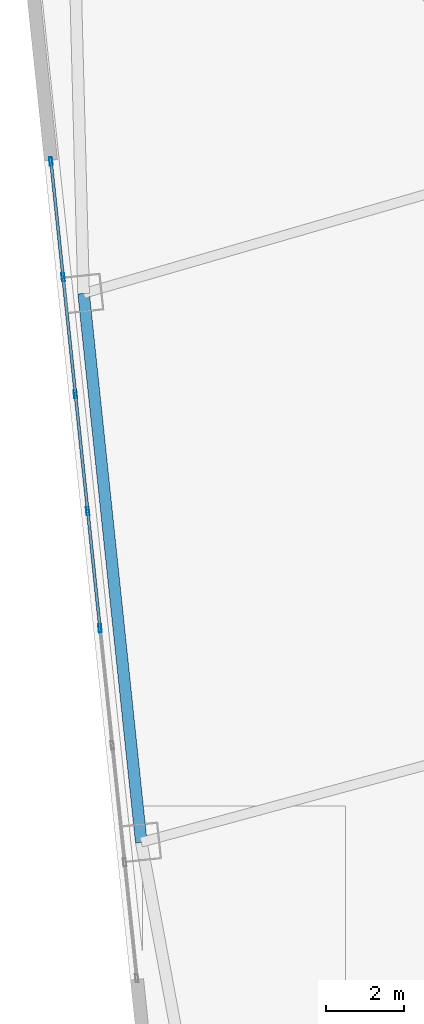
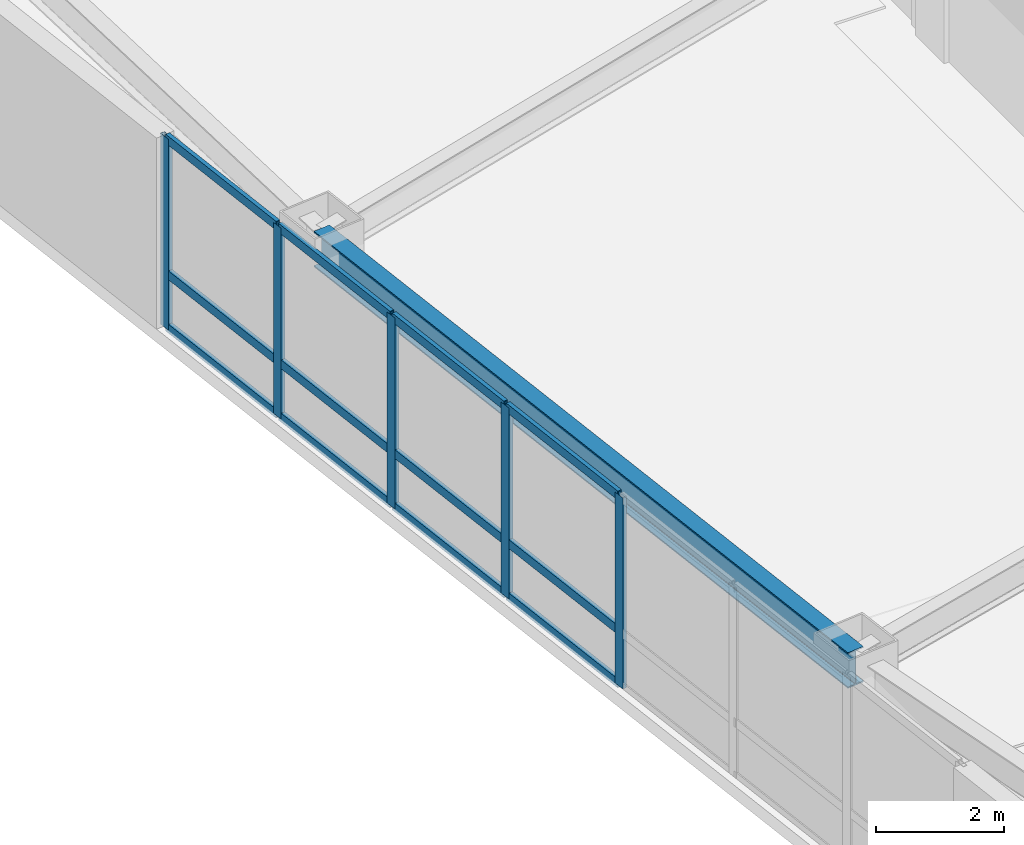
# One storey, part 4 of 15: 17 members, 1 beam, 1 element without a shape of its own.
"""IFC4 building model written with IfcOpenShell, lengths in metres."""

from ifc_helpers import new_model, si_unit, direction, frame, origin, origin_2d, place, context, subcontext, project, spatial, hollow_rectangle, i_section, extrude, material, layer, layer_set, material_profile, profile_set, type_object, element, aggregate, save


model = new_model("IFC4")

# Units and contexts
model_context = context("Model", 3, precision=1e-05, world=origin(), true_north=direction((0.0, 1.0)))
body_context = subcontext(model_context, "Body", "Model", "MODEL_VIEW")
ifc_project = project(units=[si_unit("LENGTHUNIT", "METRE"), si_unit("AREAUNIT", "SQUARE_METRE"), si_unit("VOLUMEUNIT", "CUBIC_METRE"), si_unit("PLANEANGLEUNIT", "RADIAN"), si_unit("MASSUNIT", "GRAM", prefix="KILO")], contexts=[model_context])

# Site, building, storey
site_placement = place(None, origin())
site = spatial("IfcSite", under=ifc_project, at=site_placement, CompositionType="ELEMENT")
building_placement = place(site_placement, origin())
building = spatial("IfcBuilding", under=site, at=building_placement, Name="Voryun Gate Residences", CompositionType="ELEMENT")
storey_placement = place(building_placement, frame((0.0, 0.0, 148.199951171875)))
storey = spatial("IfcBuildingStorey", under=building, at=storey_placement, Name="L36", CompositionType="ELEMENT", Elevation=148.199951171875)

# Beam
ifc_material_1 = material(Name="Steel SM355", Category="steel")
ifc_material_profile_1 = material_profile(ifc_material_1, i_section(OverallWidth=0.300048828125, OverallDepth=0.679931640625, WebThickness=0.013916015625, FlangeThickness=0.02490234375, FilletRadius=0.01806640625, at=origin_2d()), Name="H-680x300x14x25")
ifc_profile_set_1 = profile_set([ifc_material_profile_1], Name="Steel SM355")
beam_type = type_object("IfcBeamType", Name="BM_EXO_SPANDREL_M", PredefinedType="SPANDREL", material=ifc_profile_set_1)
beam_placement = place(storey_placement, frame((-32.93359375, 3.424072265625, 3.31005859375), z_axis=(0.104540894669, -0.994520588697, 0.0), x_axis=(0.994520588697, 0.104540894669, 0.0)))
element("IfcBeam", 1, at=beam_placement, inside=storey, type_object=beam_type, Name="BM-L36-SPAND-18", PredefinedType="SPANDREL", context=body_context, shape_type="SweptSolid", body=[
    extrude(i_section(OverallWidth=0.300048828125, OverallDepth=0.679931640625, WebThickness=0.013916015625, FlangeThickness=0.02490234375, FilletRadius=0.01806640625, at=origin_2d()), origin(), (0.0, 0.0, 1.0), 14.219970703125),
])

# Curtain wall, members
ifc_material_2 = material(Name="Anodised aluminium", Category="aluminium")
ifc_layer = layer(ifc_material_2, 0.2099609375, Name="CW_SYS_SKYGARDEN_DARK_GLASS")
ifc_layer_set = layer_set([ifc_layer], Name="Anodised aluminium")
curtain_wall_type = type_object("IfcCurtainWallType", Name="CW_SYS_SKYGARDEN_DARK_GLASS", PredefinedType="NOTDEFINED", material=ifc_layer_set)
curtain_wall_placement = place(storey_placement, origin())
curtain_wall = element("IfcCurtainWall", 2, at=curtain_wall_placement, inside=storey, type_object=curtain_wall_type, Name="Curtain wall CW5-L36-SG-06", PredefinedType="NOTDEFINED")
ifc_material_3 = material(Name="Anodised aluminium", Category="aluminium")
ifc_material_profile_2 = material_profile(ifc_material_3, hollow_rectangle(XDim=0.074951171875, YDim=0.2099609375, WallThickness=0.0048828125, at=origin_2d()), Name="ALU-MULL-210x75x5")
ifc_profile_set_2 = profile_set([ifc_material_profile_2], Name="Anodised aluminium")
member_type_1 = type_object("IfcMemberType", Name="CW_MULL_SKY", PredefinedType="MULLION", material=ifc_profile_set_2)
member_1_placement = place(storey_placement, frame((-32.50927734375, -5.205078125, 0.0), z_axis=(0.0, 0.0, 1.0), x_axis=(-0.994521755433, -0.104529794654, 0.0)))
member_1 = element("IfcMember", 3, at=member_1_placement, type_object=member_type_1, Name="CW5 mullion 4", PredefinedType="MULLION", context=body_context, shape_type="SweptSolid", body=[
    extrude(hollow_rectangle(XDim=0.074951171875, YDim=0.2099609375, WallThickness=0.0048828125, at=origin_2d()), origin(), (0.0, 0.0, 1.0), 3.650146484375),
])
member_2_placement = place(storey_placement, frame((-32.826171875, -2.189208984375, 0.0), z_axis=(0.0, 0.0, 1.0), x_axis=(-0.994521755433, -0.104529794654, 0.0)))
member_2 = element("IfcMember", 4, at=member_2_placement, type_object=member_type_1, Name="CW5 mullion 5", PredefinedType="MULLION", context=body_context, shape_type="SweptSolid", body=[
    extrude(hollow_rectangle(XDim=0.074951171875, YDim=0.2099609375, WallThickness=0.0048828125, at=origin_2d()), origin(), (0.0, 0.0, 1.0), 3.650146484375),
])
member_3_placement = place(storey_placement, frame((-33.14306640625, 0.826416015625, 0.0), z_axis=(0.0, 0.0, 1.0), x_axis=(-0.994521755433, -0.104529794654, 0.0)))
member_3 = element("IfcMember", 5, at=member_3_placement, type_object=member_type_1, Name="CW5 mullion 6", PredefinedType="MULLION", context=body_context, shape_type="SweptSolid", body=[
    extrude(hollow_rectangle(XDim=0.074951171875, YDim=0.2099609375, WallThickness=0.0048828125, at=origin_2d()), origin(), (0.0, 0.0, 1.0), 3.650146484375),
])
member_4_placement = place(storey_placement, frame((-33.460205078125, 3.842041015625, 0.0), z_axis=(0.0, 0.0, 1.0), x_axis=(-0.994521755433, -0.104529794654, 0.0)))
member_4 = element("IfcMember", 6, at=member_4_placement, type_object=member_type_1, Name="CW5 mullion 7", PredefinedType="MULLION", context=body_context, shape_type="SweptSolid", body=[
    extrude(hollow_rectangle(XDim=0.074951171875, YDim=0.2099609375, WallThickness=0.0048828125, at=origin_2d()), origin(), (0.0, 0.0, 1.0), 3.650146484375),
])
member_5_placement = place(storey_placement, frame((-33.77392578125, 6.828125, 0.0), z_axis=(0.0, 0.0, 1.0), x_axis=(-0.994521755433, -0.104529794654, 0.0)))
member_5 = element("IfcMember", 7, at=member_5_placement, type_object=member_type_1, Name="CW5 mullion 8", PredefinedType="MULLION", context=body_context, shape_type="SweptSolid", body=[
    extrude(hollow_rectangle(XDim=0.074951171875, YDim=0.2099609375, WallThickness=0.0048828125, at=origin_2d()), origin(), (0.0, 0.0, 1.0), 3.650146484375),
])
ifc_material_4 = material(Name="Anodised aluminium", Category="aluminium")
ifc_material_profile_3 = material_profile(ifc_material_4, hollow_rectangle(XDim=0.074951171875, YDim=0.169921875, WallThickness=0.0048828125, at=origin_2d()), Name="ALU-TRAN-170x75x5")
ifc_profile_set_3 = profile_set([ifc_material_profile_3], Name="Anodised aluminium")
member_type_2 = type_object("IfcMemberType", Name="CW_TRAN_SKY", PredefinedType="USERDEFINED", material=ifc_profile_set_3)
member_6_placement = place(storey_placement, frame((-32.512451171875, -5.17529296875, 0.030029296875), z_axis=(-0.10447954978, 0.994527035167, 0.0), x_axis=(-0.994527035167, -0.10447954978, 0.0)))
member_6 = element("IfcMember", 8, at=member_6_placement, type_object=member_type_2, Name="CW5 transom 4.1", ObjectType="TRANSOM", PredefinedType="USERDEFINED", context=body_context, shape_type="SweptSolid", body=[
    extrude(hollow_rectangle(XDim=0.074951171875, YDim=0.169921875, WallThickness=0.0048828125, at=origin_2d()), origin(), (0.0, 0.0, 1.0), 2.972412109375),
])
member_7_placement = place(storey_placement, frame((-32.512451171875, -5.17529296875, 1.050048828125), z_axis=(-0.10447954978, 0.994527035167, 0.0), x_axis=(-0.994527035167, -0.10447954978, 0.0)))
member_7 = element("IfcMember", 9, at=member_7_placement, type_object=member_type_2, Name="CW5 transom 4.2", ObjectType="TRANSOM", PredefinedType="USERDEFINED", context=body_context, shape_type="SweptSolid", body=[
    extrude(hollow_rectangle(XDim=0.074951171875, YDim=0.169921875, WallThickness=0.0048828125, at=origin_2d()), origin(), (0.0, 0.0, 1.0), 2.972412109375),
])
member_8_placement = place(storey_placement, frame((-32.512451171875, -5.17529296875, 3.6201171875), z_axis=(-0.10447954978, 0.994527035167, 0.0), x_axis=(-0.994527035167, -0.10447954978, 0.0)))
member_8 = element("IfcMember", 10, at=member_8_placement, type_object=member_type_2, Name="CW5 transom 4.3", ObjectType="TRANSOM", PredefinedType="USERDEFINED", context=body_context, shape_type="SweptSolid", body=[
    extrude(hollow_rectangle(XDim=0.074951171875, YDim=0.169921875, WallThickness=0.0048828125, at=origin_2d()), origin(), (0.0, 0.0, 1.0), 2.972412109375),
])
member_9_placement = place(storey_placement, frame((-32.829345703125, -2.159423828125, 0.030029296875), z_axis=(-0.104560790128, 0.994518497147, 0.0), x_axis=(-0.994518497147, -0.104560790128, 0.0)))
member_9 = element("IfcMember", 11, at=member_9_placement, type_object=member_type_2, Name="CW5 transom 5.1", ObjectType="TRANSOM", PredefinedType="USERDEFINED", context=body_context, shape_type="SweptSolid", body=[
    extrude(hollow_rectangle(XDim=0.074951171875, YDim=0.169921875, WallThickness=0.0048828125, at=origin_2d()), origin(), (0.0, 0.0, 1.0), 2.972412109375),
])
member_10_placement = place(storey_placement, frame((-32.829345703125, -2.159423828125, 1.050048828125), z_axis=(-0.104560790128, 0.994518497147, 0.0), x_axis=(-0.994518497147, -0.104560790128, 0.0)))
member_10 = element("IfcMember", 12, at=member_10_placement, type_object=member_type_2, Name="CW5 transom 5.2", ObjectType="TRANSOM", PredefinedType="USERDEFINED", context=body_context, shape_type="SweptSolid", body=[
    extrude(hollow_rectangle(XDim=0.074951171875, YDim=0.169921875, WallThickness=0.0048828125, at=origin_2d()), origin(), (0.0, 0.0, 1.0), 2.972412109375),
])
member_11_placement = place(storey_placement, frame((-32.829345703125, -2.159423828125, 3.6201171875), z_axis=(-0.104560790128, 0.994518497147, 0.0), x_axis=(-0.994518497147, -0.104560790128, 0.0)))
member_11 = element("IfcMember", 13, at=member_11_placement, type_object=member_type_2, Name="CW5 transom 5.3", ObjectType="TRANSOM", PredefinedType="USERDEFINED", context=body_context, shape_type="SweptSolid", body=[
    extrude(hollow_rectangle(XDim=0.074951171875, YDim=0.169921875, WallThickness=0.0048828125, at=origin_2d()), origin(), (0.0, 0.0, 1.0), 2.972412109375),
])
member_12_placement = place(storey_placement, frame((-33.146240234375, 0.856201171875, 0.030029296875), z_axis=(-0.104560790128, 0.994518497147, 0.0), x_axis=(-0.994518497147, -0.104560790128, 0.0)))
member_12 = element("IfcMember", 14, at=member_12_placement, type_object=member_type_2, Name="CW5 transom 6.1", ObjectType="TRANSOM", PredefinedType="USERDEFINED", context=body_context, shape_type="SweptSolid", body=[
    extrude(hollow_rectangle(XDim=0.074951171875, YDim=0.169921875, WallThickness=0.0048828125, at=origin_2d()), origin(), (0.0, 0.0, 1.0), 2.972412109375),
])
member_13_placement = place(storey_placement, frame((-33.146240234375, 0.856201171875, 1.050048828125), z_axis=(-0.104560790128, 0.994518497147, 0.0), x_axis=(-0.994518497147, -0.104560790128, 0.0)))
member_13 = element("IfcMember", 15, at=member_13_placement, type_object=member_type_2, Name="CW5 transom 6.2", ObjectType="TRANSOM", PredefinedType="USERDEFINED", context=body_context, shape_type="SweptSolid", body=[
    extrude(hollow_rectangle(XDim=0.074951171875, YDim=0.169921875, WallThickness=0.0048828125, at=origin_2d()), origin(), (0.0, 0.0, 1.0), 2.972412109375),
])
member_14_placement = place(storey_placement, frame((-33.146240234375, 0.856201171875, 3.6201171875), z_axis=(-0.104560790128, 0.994518497147, 0.0), x_axis=(-0.994518497147, -0.104560790128, 0.0)))
member_14 = element("IfcMember", 16, at=member_14_placement, type_object=member_type_2, Name="CW5 transom 6.3", ObjectType="TRANSOM", PredefinedType="USERDEFINED", context=body_context, shape_type="SweptSolid", body=[
    extrude(hollow_rectangle(XDim=0.074951171875, YDim=0.169921875, WallThickness=0.0048828125, at=origin_2d()), origin(), (0.0, 0.0, 1.0), 2.972412109375),
])
member_15_placement = place(storey_placement, frame((-33.46337890625, 3.8720703125, 0.030029296875), z_axis=(-0.104464502531, 0.994528615833, 0.0), x_axis=(-0.994528615833, -0.104464502531, 0.0)))
member_15 = element("IfcMember", 17, at=member_15_placement, type_object=member_type_2, Name="CW5 transom 7.1", ObjectType="TRANSOM", PredefinedType="USERDEFINED", context=body_context, shape_type="SweptSolid", body=[
    extrude(hollow_rectangle(XDim=0.074951171875, YDim=0.169921875, WallThickness=0.0048828125, at=origin_2d()), origin(), (0.0, 0.0, 1.0), 2.9423828125),
])
member_16_placement = place(storey_placement, frame((-33.46337890625, 3.8720703125, 1.050048828125), z_axis=(-0.104464502531, 0.994528615833, 0.0), x_axis=(-0.994528615833, -0.104464502531, 0.0)))
member_16 = element("IfcMember", 18, at=member_16_placement, type_object=member_type_2, Name="CW5 transom 7.2", ObjectType="TRANSOM", PredefinedType="USERDEFINED", context=body_context, shape_type="SweptSolid", body=[
    extrude(hollow_rectangle(XDim=0.074951171875, YDim=0.169921875, WallThickness=0.0048828125, at=origin_2d()), origin(), (0.0, 0.0, 1.0), 2.9423828125),
])
member_17_placement = place(storey_placement, frame((-33.46337890625, 3.8720703125, 3.6201171875), z_axis=(-0.104464502531, 0.994528615833, 0.0), x_axis=(-0.994528615833, -0.104464502531, 0.0)))
member_17 = element("IfcMember", 19, at=member_17_placement, type_object=member_type_2, Name="CW5 transom 7.3", ObjectType="TRANSOM", PredefinedType="USERDEFINED", context=body_context, shape_type="SweptSolid", body=[
    extrude(hollow_rectangle(XDim=0.074951171875, YDim=0.169921875, WallThickness=0.0048828125, at=origin_2d()), origin(), (0.0, 0.0, 1.0), 2.9423828125),
])
aggregate(curtain_wall, [member_1, member_2, member_3, member_4, member_5, member_6, member_7, member_8, member_9, member_10, member_11, member_12, member_13, member_14, member_15, member_16, member_17])

save(model, "model.ifc")
